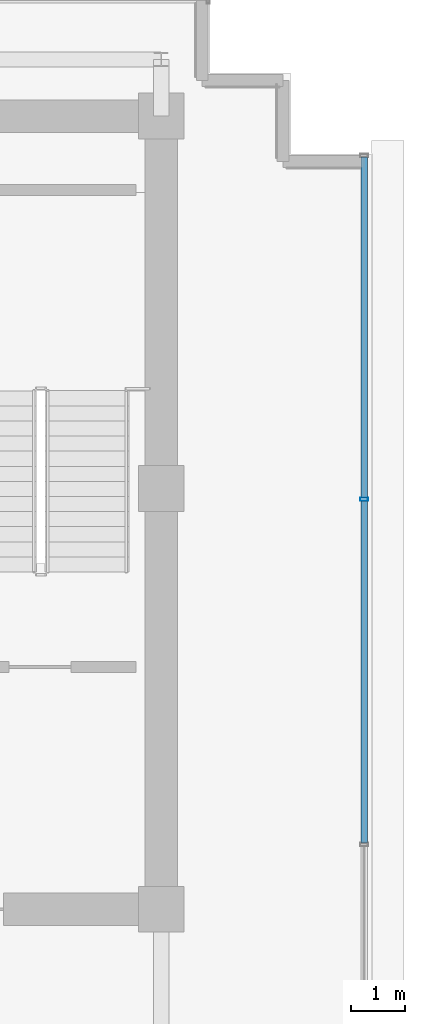
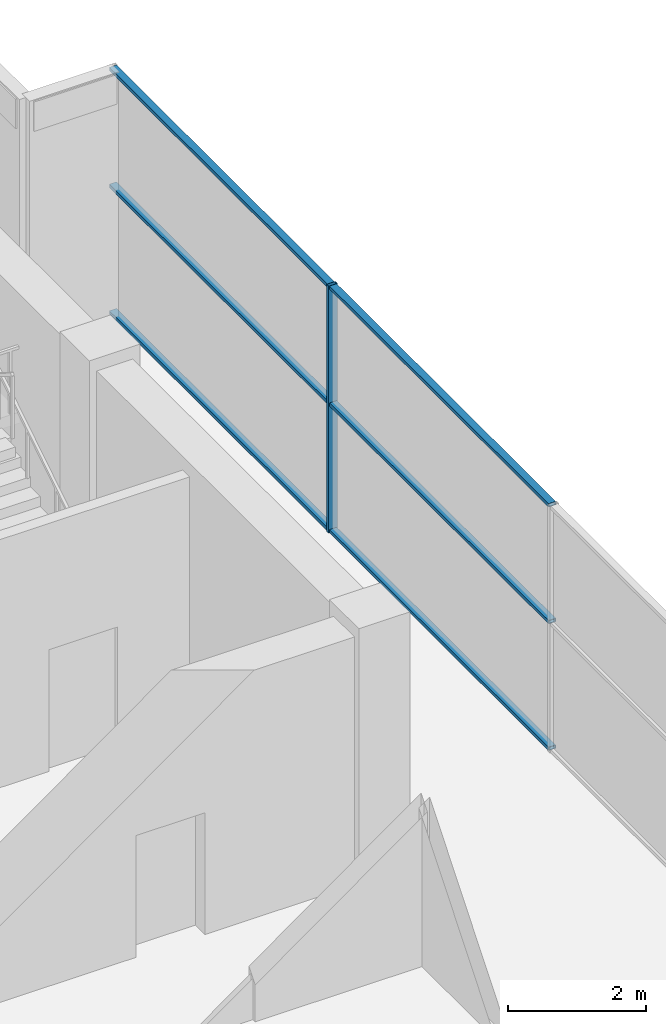
# One storey, part 22 of 28: 7 members, 1 element without a shape of its own.
"""IFC4 building model written with IfcOpenShell, lengths in metres."""

from ifc_helpers import new_model, si_unit, direction, frame, origin, origin_2d, place, context, subcontext, project, spatial, hollow_rectangle, extrude, source, transform, mapped, material, layer, layer_set, material_profile, profile_set, type_object, element, aggregate, save


model = new_model("IFC4")

# Units and contexts
model_context = context("Model", 3, precision=1e-05, world=origin(), true_north=direction((0.0, 1.0)))
body_context = subcontext(model_context, "Body", "Model", "MODEL_VIEW")
ifc_project = project(units=[si_unit("LENGTHUNIT", "METRE"), si_unit("AREAUNIT", "SQUARE_METRE"), si_unit("VOLUMEUNIT", "CUBIC_METRE"), si_unit("PLANEANGLEUNIT", "RADIAN"), si_unit("MASSUNIT", "GRAM", prefix="KILO")], contexts=[model_context])

# Site, building, storey
site_placement = place(None, origin())
site = spatial("IfcSite", under=ifc_project, at=site_placement, CompositionType="ELEMENT")
building_placement = place(site_placement, origin())
building = spatial("IfcBuilding", under=site, at=building_placement, Name="Zarnakvel Exchange Tower", CompositionType="ELEMENT")
storey_placement = place(building_placement, frame((0.0, 0.0, 290.0)))
storey = spatial("IfcBuildingStorey", under=building, at=storey_placement, Name="Crown L81", CompositionType="ELEMENT", Elevation=290.0)

# Curtain wall, members
ifc_material = material(Name="Architectural Bronze Anodised Aluminium", Category="aluminium")
ifc_layer = layer(ifc_material, 0.14990234375)
ifc_layer_set = layer_set([ifc_layer], Name="Architectural Bronze Anodised Aluminium")
curtain_wall_type = type_object("IfcCurtainWallType", Name="CW-07", PredefinedType="NOTDEFINED", material=ifc_layer_set)
curtain_wall_placement = place(storey_placement, origin())
curtain_wall = element("IfcCurtainWall", 1, at=curtain_wall_placement, inside=storey, type_object=curtain_wall_type, Name="Crown L81 Curtain Wall CW-Crown L81-E (CW-07)", PredefinedType="NOTDEFINED")
ifc_material_profile_1 = material_profile(ifc_material, hollow_rectangle(XDim=0.14990234375, YDim=0.06005859375, WallThickness=0.00390625, at=origin_2d()))
ifc_profile_set_1 = profile_set([ifc_material_profile_1], Name="Architectural Bronze Anodised Aluminium")
member_type_1 = type_object("IfcMemberType", Name="CWM-07", PredefinedType="MULLION", material=ifc_profile_set_1)
shared_shape_1 = source(origin(), body_context, "Body", "SweptSolid", [
    extrude(hollow_rectangle(XDim=0.14990234375, YDim=0.06005859375, WallThickness=0.00390625, at=origin_2d()), origin(), (0.0, 0.0, 1.0), 4.360107421875),
])
member_1_placement = place(storey_placement, frame((18.159912109375, 6.39990234375, 0.0), z_axis=(0.0, 0.0, 1.0), x_axis=(-1.0, 0.0, 0.0)))
member_1 = element("IfcMember", 2, at=member_1_placement, type_object=member_type_1, Name="CW-07 mullion 4", PredefinedType="MULLION", context=body_context, shape_type="MappedRepresentation", body=[
    mapped(shared_shape_1, transform((0.0, 0.0, 0.0), x_axis=(1.0, 0.0, 0.0), y_axis=(0.0, 1.0, 0.0), z_axis=(0.0, 0.0, 1.0), scale=1.0)),
])
ifc_material_profile_2 = material_profile(ifc_material, hollow_rectangle(XDim=0.1201171875, YDim=0.06005859375, WallThickness=0.00390625, at=origin_2d()))
ifc_profile_set_2 = profile_set([ifc_material_profile_2], Name="Architectural Bronze Anodised Aluminium")
member_type_2 = type_object("IfcMemberType", Name="CWT-07", PredefinedType="USERDEFINED", material=ifc_profile_set_2)
shared_shape_2 = source(origin(), body_context, "Body", "SweptSolid", [
    extrude(hollow_rectangle(XDim=0.1201171875, YDim=0.06005859375, WallThickness=0.00390625, at=origin_2d()), origin(), (0.0, 0.0, 1.0), 6.31005859375),
])
member_2_placement = place(storey_placement, frame((18.159912109375, 6.429931640625, 0.030029296875), z_axis=(0.0, 1.0, 0.0), x_axis=(-1.0, 0.0, 0.0)))
member_2 = element("IfcMember", 3, at=member_2_placement, type_object=member_type_2, Name="CW-07 transom 4.1", ObjectType="TRANSOM", PredefinedType="USERDEFINED", context=body_context, shape_type="MappedRepresentation", body=[
    mapped(shared_shape_2, transform((0.0, 0.0, 0.0), x_axis=(1.0, 0.0, 0.0), y_axis=(0.0, 1.0, 0.0), z_axis=(0.0, 0.0, 1.0), scale=1.0)),
])
member_3_placement = place(storey_placement, frame((18.159912109375, 6.429931640625, 2.26708984375), z_axis=(0.0, 1.0, 0.0), x_axis=(-1.0, 0.0, 0.0)))
member_3 = element("IfcMember", 4, at=member_3_placement, type_object=member_type_2, Name="CW-07 transom 4.2", ObjectType="TRANSOM", PredefinedType="USERDEFINED", context=body_context, shape_type="MappedRepresentation", body=[
    mapped(shared_shape_2, transform((0.0, 0.0, 0.0), x_axis=(1.0, 0.0, 0.0), y_axis=(0.0, 1.0, 0.0), z_axis=(0.0, 0.0, 1.0), scale=1.0)),
])
member_4_placement = place(storey_placement, frame((18.159912109375, 6.429931640625, 4.330078125), z_axis=(0.0, 1.0, 0.0), x_axis=(-1.0, 0.0, 0.0)))
member_4 = element("IfcMember", 5, at=member_4_placement, type_object=member_type_2, Name="CW-07 transom 4.3", ObjectType="TRANSOM", PredefinedType="USERDEFINED", context=body_context, shape_type="MappedRepresentation", body=[
    mapped(shared_shape_2, transform((0.0, 0.0, 0.0), x_axis=(1.0, 0.0, 0.0), y_axis=(0.0, 1.0, 0.0), z_axis=(0.0, 0.0, 1.0), scale=1.0)),
])
shared_shape_3 = source(origin(), body_context, "Body", "SweptSolid", [
    extrude(hollow_rectangle(XDim=0.1201171875, YDim=0.06005859375, WallThickness=0.00390625, at=origin_2d()), origin(), (0.0, 0.0, 1.0), 6.340087890625),
])
member_5_placement = place(storey_placement, frame((18.159912109375, 0.030029296875, 0.030029296875), z_axis=(0.0, 1.0, 0.0), x_axis=(-1.0, 0.0, 0.0)))
member_5 = element("IfcMember", 6, at=member_5_placement, type_object=member_type_2, Name="CW-07 transom 3.1", ObjectType="TRANSOM", PredefinedType="USERDEFINED", context=body_context, shape_type="MappedRepresentation", body=[
    mapped(shared_shape_3, transform((0.0, 0.0, 0.0), x_axis=(1.0, 0.0, 0.0), y_axis=(0.0, 1.0, 0.0), z_axis=(0.0, 0.0, 1.0), scale=1.0)),
])
member_6_placement = place(storey_placement, frame((18.159912109375, 0.030029296875, 2.26708984375), z_axis=(0.0, 1.0, 0.0), x_axis=(-1.0, 0.0, 0.0)))
member_6 = element("IfcMember", 7, at=member_6_placement, type_object=member_type_2, Name="CW-07 transom 3.2", ObjectType="TRANSOM", PredefinedType="USERDEFINED", context=body_context, shape_type="MappedRepresentation", body=[
    mapped(shared_shape_3, transform((0.0, 0.0, 0.0), x_axis=(1.0, 0.0, 0.0), y_axis=(0.0, 1.0, 0.0), z_axis=(0.0, 0.0, 1.0), scale=1.0)),
])
member_7_placement = place(storey_placement, frame((18.159912109375, 0.030029296875, 4.330078125), z_axis=(0.0, 1.0, 0.0), x_axis=(-1.0, 0.0, 0.0)))
member_7 = element("IfcMember", 8, at=member_7_placement, type_object=member_type_2, Name="CW-07 transom 3.3", ObjectType="TRANSOM", PredefinedType="USERDEFINED", context=body_context, shape_type="MappedRepresentation", body=[
    mapped(shared_shape_3, transform((0.0, 0.0, 0.0), x_axis=(1.0, 0.0, 0.0), y_axis=(0.0, 1.0, 0.0), z_axis=(0.0, 0.0, 1.0), scale=1.0)),
])
aggregate(curtain_wall, [member_1, member_5, member_6, member_7, member_2, member_3, member_4])

save(model, "model.ifc")
